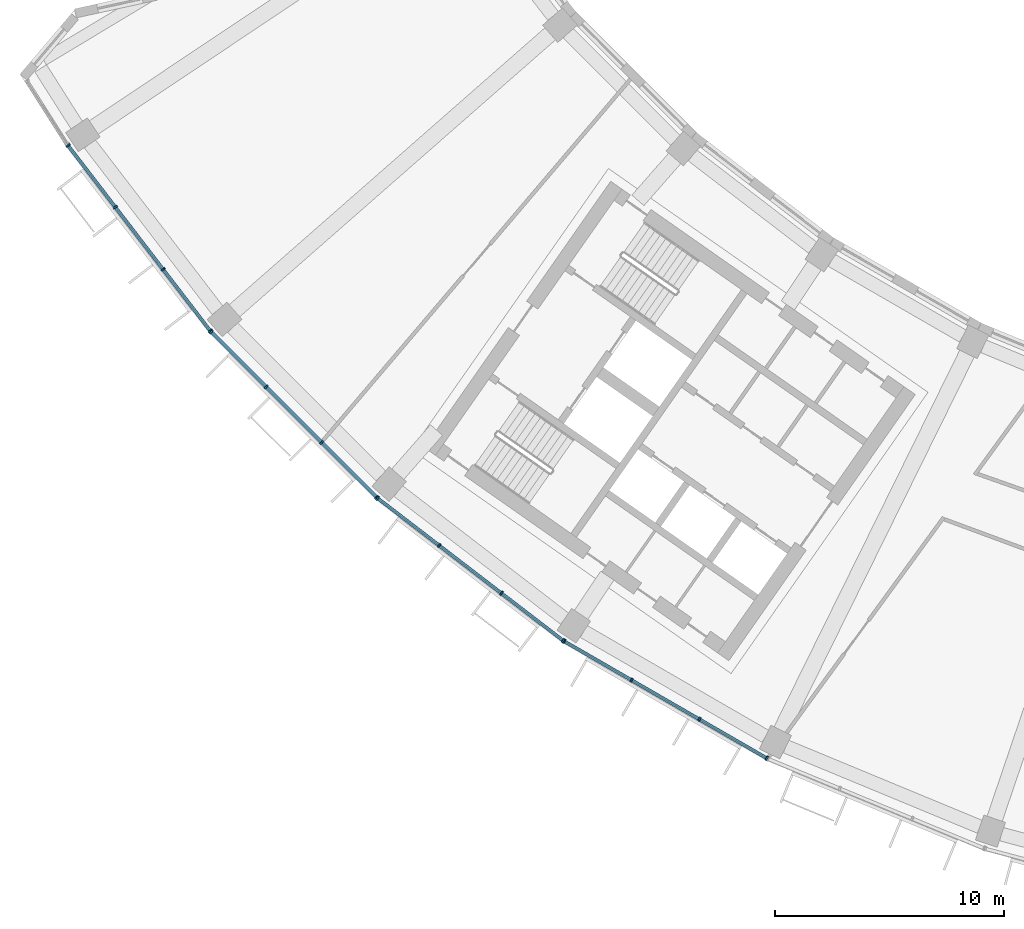
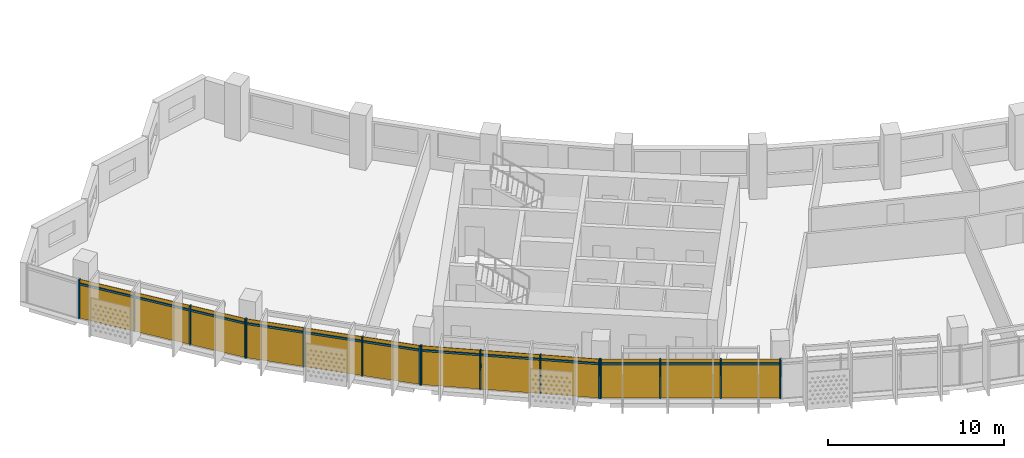
# One storey, part 17 of 28: 28 members, 4 curtain walls.
"""IFC4 building model written with IfcOpenShell, lengths in metres."""

from ifc_helpers import new_model, si_unit, direction, frame, origin, origin_2d, place, context, subcontext, project, spatial, rectangle, extrude, material, material_profile, profile_set, type_object, element, aggregate, save


model = new_model("IFC4")

# Units and contexts
model_context = context("Model", 3, precision=1e-05, world=origin(), true_north=direction((0.0, 1.0)))
body_context = subcontext(model_context, "Body", "Model", "MODEL_VIEW")
ifc_project = project(units=[si_unit("LENGTHUNIT", "METRE"), si_unit("AREAUNIT", "SQUARE_METRE"), si_unit("VOLUMEUNIT", "CUBIC_METRE"), si_unit("PLANEANGLEUNIT", "RADIAN"), si_unit("MASSUNIT", "GRAM", prefix="KILO")], contexts=[model_context])

# Member
ifc_material = material(Name="Aluminium 6063-T6 anodised", Category="aluminium")
ifc_material_profile_1 = material_profile(ifc_material, rectangle(XDim=0.199951171875, YDim=0.070068359375, at=origin_2d()))
ifc_profile_set_1 = profile_set([ifc_material_profile_1], Name="Aluminium 6063-T6 anodised")
member_type_1 = type_object("IfcMemberType", Name="Mullion 70 x 200 aluminium", PredefinedType="MULLION", material=ifc_profile_set_1)
site_placement = place(None, origin())
building_placement = place(site_placement, origin())
storey_placement = place(building_placement, frame((0.0, 0.0, 249.300048828125)))
member_1_placement = place(storey_placement, frame((-65.29443359375, -43.66259765625, 0.0), z_axis=(0.0, 0.0, 1.0), x_axis=(0.793353340291, 0.608761429009, 0.0)))
member_1 = element("IfcMember", 1, at=member_1_placement, type_object=member_type_1, Name="e-cw1-L60-out01/M00", PredefinedType="MULLION", context=body_context, shape_type="SweptSolid", body=[
    extrude(rectangle(XDim=0.199951171875, YDim=0.070068359375, at=origin_2d()), origin(), (0.0, 0.0, 1.0), 2.699951171875),
])

member_2_placement = place(storey_placement, frame((-63.22802734375, -46.35546875, 0.0), z_axis=(0.0, 0.0, 1.0), x_axis=(0.793353340291, 0.608761429009, 0.0)))
member_2 = element("IfcMember", 2, at=member_2_placement, type_object=member_type_1, Name="e-cw1-L60-out01/M01", PredefinedType="MULLION", context=body_context, shape_type="SweptSolid", body=[
    extrude(rectangle(XDim=0.199951171875, YDim=0.070068359375, at=origin_2d()), origin(), (0.0, 0.0, 1.0), 2.699951171875),
])

member_3_placement = place(storey_placement, frame((-61.140380859375, -49.075927734375, 0.0), z_axis=(0.0, 0.0, 1.0), x_axis=(0.793353340291, 0.608761429009, 0.0)))
member_3 = element("IfcMember", 3, at=member_3_placement, type_object=member_type_1, Name="e-cw1-L60-out01/M02", PredefinedType="MULLION", context=body_context, shape_type="SweptSolid", body=[
    extrude(rectangle(XDim=0.199951171875, YDim=0.070068359375, at=origin_2d()), origin(), (0.0, 0.0, 1.0), 2.699951171875),
])

member_4_placement = place(storey_placement, frame((-59.07421875, -51.768798828125, 0.0), z_axis=(0.0, 0.0, 1.0), x_axis=(0.793353340291, 0.608761429009, 0.0)))
member_4 = element("IfcMember", 4, at=member_4_placement, type_object=member_type_1, Name="e-cw1-L60-out01/M03", PredefinedType="MULLION", context=body_context, shape_type="SweptSolid", body=[
    extrude(rectangle(XDim=0.199951171875, YDim=0.070068359375, at=origin_2d()), origin(), (0.0, 0.0, 1.0), 2.699951171875),
])

member_5_placement = place(storey_placement, frame((-59.03662109375, -51.8115234375, 0.0), z_axis=(0.0, 0.0, 1.0), x_axis=(0.707106781187, 0.707106781187, 0.0)))
member_5 = element("IfcMember", 5, at=member_5_placement, type_object=member_type_1, Name="e-cw1-L60-out02/M00", PredefinedType="MULLION", context=body_context, shape_type="SweptSolid", body=[
    extrude(rectangle(XDim=0.199951171875, YDim=0.070068359375, at=origin_2d()), origin(), (0.0, 0.0, 1.0), 2.699951171875),
])

member_6_placement = place(storey_placement, frame((-56.63671875, -54.211669921875, 0.0), z_axis=(0.0, 0.0, 1.0), x_axis=(0.707106781187, 0.707106781187, 0.0)))
member_6 = element("IfcMember", 6, at=member_6_placement, type_object=member_type_1, Name="e-cw1-L60-out02/M01", PredefinedType="MULLION", context=body_context, shape_type="SweptSolid", body=[
    extrude(rectangle(XDim=0.199951171875, YDim=0.070068359375, at=origin_2d()), origin(), (0.0, 0.0, 1.0), 2.699951171875),
])

member_7_placement = place(storey_placement, frame((-54.211669921875, -56.63671875, 0.0), z_axis=(0.0, 0.0, 1.0), x_axis=(0.707106781187, 0.707106781187, 0.0)))
member_7 = element("IfcMember", 7, at=member_7_placement, type_object=member_type_1, Name="e-cw1-L60-out02/M02", PredefinedType="MULLION", context=body_context, shape_type="SweptSolid", body=[
    extrude(rectangle(XDim=0.199951171875, YDim=0.070068359375, at=origin_2d()), origin(), (0.0, 0.0, 1.0), 2.699951171875),
])

member_8_placement = place(storey_placement, frame((-51.8115234375, -59.03662109375, 0.0), z_axis=(0.0, 0.0, 1.0), x_axis=(0.707106781187, 0.707106781187, 0.0)))
member_8 = element("IfcMember", 8, at=member_8_placement, type_object=member_type_1, Name="e-cw1-L60-out02/M03", PredefinedType="MULLION", context=body_context, shape_type="SweptSolid", body=[
    extrude(rectangle(XDim=0.199951171875, YDim=0.070068359375, at=origin_2d()), origin(), (0.0, 0.0, 1.0), 2.699951171875),
])

member_9_placement = place(storey_placement, frame((-51.768798828125, -59.07421875, 0.0), z_axis=(0.0, 0.0, 1.0), x_axis=(0.608761429009, 0.793353340291, 0.0)))
member_9 = element("IfcMember", 9, at=member_9_placement, type_object=member_type_1, Name="e-cw1-L60-out03/M00", PredefinedType="MULLION", context=body_context, shape_type="SweptSolid", body=[
    extrude(rectangle(XDim=0.199951171875, YDim=0.070068359375, at=origin_2d()), origin(), (0.0, 0.0, 1.0), 2.699951171875),
])

member_10_placement = place(storey_placement, frame((-49.075927734375, -61.140380859375, 0.0), z_axis=(0.0, 0.0, 1.0), x_axis=(0.608761429009, 0.793353340291, 0.0)))
member_10 = element("IfcMember", 10, at=member_10_placement, type_object=member_type_1, Name="e-cw1-L60-out03/M01", PredefinedType="MULLION", context=body_context, shape_type="SweptSolid", body=[
    extrude(rectangle(XDim=0.199951171875, YDim=0.070068359375, at=origin_2d()), origin(), (0.0, 0.0, 1.0), 2.699951171875),
])

member_11_placement = place(storey_placement, frame((-46.35546875, -63.22802734375, 0.0), z_axis=(0.0, 0.0, 1.0), x_axis=(0.608761429009, 0.793353340291, 0.0)))
member_11 = element("IfcMember", 11, at=member_11_placement, type_object=member_type_1, Name="e-cw1-L60-out03/M02", PredefinedType="MULLION", context=body_context, shape_type="SweptSolid", body=[
    extrude(rectangle(XDim=0.199951171875, YDim=0.070068359375, at=origin_2d()), origin(), (0.0, 0.0, 1.0), 2.699951171875),
])

member_12_placement = place(storey_placement, frame((-43.66259765625, -65.29443359375, 0.0), z_axis=(0.0, 0.0, 1.0), x_axis=(0.608761429009, 0.793353340291, 0.0)))
member_12 = element("IfcMember", 12, at=member_12_placement, type_object=member_type_1, Name="e-cw1-L60-out03/M03", PredefinedType="MULLION", context=body_context, shape_type="SweptSolid", body=[
    extrude(rectangle(XDim=0.199951171875, YDim=0.070068359375, at=origin_2d()), origin(), (0.0, 0.0, 1.0), 2.699951171875),
])

member_13_placement = place(storey_placement, frame((-43.615234375, -65.325927734375, 0.0), z_axis=(0.0, 0.0, 1.0), x_axis=(0.5, 0.866025403784, 0.0)))
member_13 = element("IfcMember", 13, at=member_13_placement, type_object=member_type_1, Name="e-cw1-L60-out04/M00", PredefinedType="MULLION", context=body_context, shape_type="SweptSolid", body=[
    extrude(rectangle(XDim=0.199951171875, YDim=0.070068359375, at=origin_2d()), origin(), (0.0, 0.0, 1.0), 2.699951171875),
])

member_14_placement = place(storey_placement, frame((-40.67578125, -67.023193359375, 0.0), z_axis=(0.0, 0.0, 1.0), x_axis=(0.5, 0.866025403784, 0.0)))
member_14 = element("IfcMember", 14, at=member_14_placement, type_object=member_type_1, Name="e-cw1-L60-out04/M01", PredefinedType="MULLION", context=body_context, shape_type="SweptSolid", body=[
    extrude(rectangle(XDim=0.199951171875, YDim=0.070068359375, at=origin_2d()), origin(), (0.0, 0.0, 1.0), 2.699951171875),
])

member_15_placement = place(storey_placement, frame((-37.705810546875, -68.73779296875, 0.0), z_axis=(0.0, 0.0, 1.0), x_axis=(0.5, 0.866025403784, 0.0)))
member_15 = element("IfcMember", 15, at=member_15_placement, type_object=member_type_1, Name="e-cw1-L60-out04/M02", PredefinedType="MULLION", context=body_context, shape_type="SweptSolid", body=[
    extrude(rectangle(XDim=0.199951171875, YDim=0.070068359375, at=origin_2d()), origin(), (0.0, 0.0, 1.0), 2.699951171875),
])

member_16_placement = place(storey_placement, frame((-34.766357421875, -70.43505859375, 0.0), z_axis=(0.0, 0.0, 1.0), x_axis=(0.5, 0.866025403784, 0.0)))
member_16 = element("IfcMember", 16, at=member_16_placement, type_object=member_type_1, Name="e-cw1-L60-out04/M03", PredefinedType="MULLION", context=body_context, shape_type="SweptSolid", body=[
    extrude(rectangle(XDim=0.199951171875, YDim=0.070068359375, at=origin_2d()), origin(), (0.0, 0.0, 1.0), 2.699951171875),
])

ifc_material_profile_2 = material_profile(ifc_material, rectangle(XDim=0.139892578125, YDim=0.1201171875, at=origin_2d()))
ifc_profile_set_2 = profile_set([ifc_material_profile_2], Name="Aluminium 6063-T6 anodised")
member_type_2 = type_object("IfcMemberType", Name="Transom 120 x 140 aluminium", PredefinedType="USERDEFINED", material=ifc_profile_set_2)
member_17_placement = place(storey_placement, frame((-65.273193359375, -43.690185546875, 2.39990234375), z_axis=(0.608741393132, -0.793368713958, 0.0), x_axis=(0.793368713958, 0.608741393132, 0.0)))
member_17 = element("IfcMember", 17, at=member_17_placement, type_object=member_type_2, Name="e-cw1-L60-out01/T00", ObjectType="TRANSOM", PredefinedType="USERDEFINED", context=body_context, shape_type="SweptSolid", body=[
    extrude(rectangle(XDim=0.139892578125, YDim=0.1201171875, at=origin_2d()), origin(), (0.0, 0.0, 1.0), 3.324462890625),
])

member_18_placement = place(storey_placement, frame((-63.206787109375, -46.383056640625, 2.39990234375), z_axis=(0.608719861247, -0.793385234627, 0.0), x_axis=(0.793385234627, 0.608719861247, 0.0)))
member_18 = element("IfcMember", 18, at=member_18_placement, type_object=member_type_2, Name="e-cw1-L60-out01/T01", ObjectType="TRANSOM", PredefinedType="USERDEFINED", context=body_context, shape_type="SweptSolid", body=[
    extrude(rectangle(XDim=0.139892578125, YDim=0.1201171875, at=origin_2d()), origin(), (0.0, 0.0, 1.0), 3.359375),
])

member_19_placement = place(storey_placement, frame((-61.119140625, -49.103759765625, 2.39990234375), z_axis=(0.608741393132, -0.793368713958, 0.0), x_axis=(0.793368713958, 0.608741393132, 0.0)))
member_19 = element("IfcMember", 19, at=member_19_placement, type_object=member_type_2, Name="e-cw1-L60-out01/T02", ObjectType="TRANSOM", PredefinedType="USERDEFINED", context=body_context, shape_type="SweptSolid", body=[
    extrude(rectangle(XDim=0.139892578125, YDim=0.1201171875, at=origin_2d()), origin(), (0.0, 0.0, 1.0), 3.324462890625),
])

member_20_placement = place(storey_placement, frame((-59.011962890625, -51.83642578125, 2.39990234375), z_axis=(0.707106781187, -0.707106781187, 0.0), x_axis=(0.707106781187, 0.707106781187, 0.0)))
member_20 = element("IfcMember", 20, at=member_20_placement, type_object=member_type_2, Name="e-cw1-L60-out02/T00", ObjectType="TRANSOM", PredefinedType="USERDEFINED", context=body_context, shape_type="SweptSolid", body=[
    extrude(rectangle(XDim=0.139892578125, YDim=0.1201171875, at=origin_2d()), origin(), (0.0, 0.0, 1.0), 3.32421875),
])

member_21_placement = place(storey_placement, frame((-56.61181640625, -54.236572265625, 2.39990234375), z_axis=(0.707106781187, -0.707106781187, 0.0), x_axis=(0.707106781187, 0.707106781187, 0.0)))
member_21 = element("IfcMember", 21, at=member_21_placement, type_object=member_type_2, Name="e-cw1-L60-out02/T01", ObjectType="TRANSOM", PredefinedType="USERDEFINED", context=body_context, shape_type="SweptSolid", body=[
    extrude(rectangle(XDim=0.139892578125, YDim=0.1201171875, at=origin_2d()), origin(), (0.0, 0.0, 1.0), 3.359130859375),
])

member_22_placement = place(storey_placement, frame((-54.18701171875, -56.661376953125, 2.39990234375), z_axis=(0.707106781187, -0.707106781187, 0.0), x_axis=(0.707106781187, 0.707106781187, 0.0)))
member_22 = element("IfcMember", 22, at=member_22_placement, type_object=member_type_2, Name="e-cw1-L60-out02/T02", ObjectType="TRANSOM", PredefinedType="USERDEFINED", context=body_context, shape_type="SweptSolid", body=[
    extrude(rectangle(XDim=0.139892578125, YDim=0.1201171875, at=origin_2d()), origin(), (0.0, 0.0, 1.0), 3.32421875),
])

member_23_placement = place(storey_placement, frame((-51.7412109375, -59.095458984375, 2.39990234375), z_axis=(0.793368713958, -0.608741393132, 0.0), x_axis=(0.608741393132, 0.793368713958, 0.0)))
member_23 = element("IfcMember", 23, at=member_23_placement, type_object=member_type_2, Name="e-cw1-L60-out03/T00", ObjectType="TRANSOM", PredefinedType="USERDEFINED", context=body_context, shape_type="SweptSolid", body=[
    extrude(rectangle(XDim=0.139892578125, YDim=0.1201171875, at=origin_2d()), origin(), (0.0, 0.0, 1.0), 3.324462890625),
])

member_24_placement = place(storey_placement, frame((-49.04833984375, -61.161865234375, 2.39990234375), z_axis=(0.793385234627, -0.608719861247, 0.0), x_axis=(0.608719861247, 0.793385234627, 0.0)))
member_24 = element("IfcMember", 24, at=member_24_placement, type_object=member_type_2, Name="e-cw1-L60-out03/T01", ObjectType="TRANSOM", PredefinedType="USERDEFINED", context=body_context, shape_type="SweptSolid", body=[
    extrude(rectangle(XDim=0.139892578125, YDim=0.1201171875, at=origin_2d()), origin(), (0.0, 0.0, 1.0), 3.359375),
])

member_25_placement = place(storey_placement, frame((-46.32763671875, -63.24951171875, 2.39990234375), z_axis=(0.793368713958, -0.608741393132, 0.0), x_axis=(0.608741393132, 0.793368713958, 0.0)))
member_25 = element("IfcMember", 25, at=member_25_placement, type_object=member_type_2, Name="e-cw1-L60-out03/T02", ObjectType="TRANSOM", PredefinedType="USERDEFINED", context=body_context, shape_type="SweptSolid", body=[
    extrude(rectangle(XDim=0.139892578125, YDim=0.1201171875, at=origin_2d()), origin(), (0.0, 0.0, 1.0), 3.324462890625),
])

member_26_placement = place(storey_placement, frame((-43.5849609375, -65.343505859375, 2.39990234375), z_axis=(0.866029041019, -0.499993700073, 0.0), x_axis=(0.499993700073, 0.866029041019, 0.0)))
member_26 = element("IfcMember", 26, at=member_26_placement, type_object=member_type_2, Name="e-cw1-L60-out04/T00", ObjectType="TRANSOM", PredefinedType="USERDEFINED", context=body_context, shape_type="SweptSolid", body=[
    extrude(rectangle(XDim=0.139892578125, YDim=0.1201171875, at=origin_2d()), origin(), (0.0, 0.0, 1.0), 3.32421875),
])

member_27_placement = place(storey_placement, frame((-40.6455078125, -67.04052734375, 2.39990234375), z_axis=(0.866034314054, -0.499984566643, 0.0), x_axis=(0.499984566643, 0.866034314054, 0.0)))
member_27 = element("IfcMember", 27, at=member_27_placement, type_object=member_type_2, Name="e-cw1-L60-out04/T01", ObjectType="TRANSOM", PredefinedType="USERDEFINED", context=body_context, shape_type="SweptSolid", body=[
    extrude(rectangle(XDim=0.139892578125, YDim=0.1201171875, at=origin_2d()), origin(), (0.0, 0.0, 1.0), 3.359375),
])

member_28_placement = place(storey_placement, frame((-37.675537109375, -68.75537109375, 2.39990234375), z_axis=(0.866029041019, -0.499993700073, 0.0), x_axis=(0.499993700073, 0.866029041019, 0.0)))
member_28 = element("IfcMember", 28, at=member_28_placement, type_object=member_type_2, Name="e-cw1-L60-out04/T02", ObjectType="TRANSOM", PredefinedType="USERDEFINED", context=body_context, shape_type="SweptSolid", body=[
    extrude(rectangle(XDim=0.139892578125, YDim=0.1201171875, at=origin_2d()), origin(), (0.0, 0.0, 1.0), 3.32421875),
])

# Site, building, storey
site = spatial("IfcSite", under=ifc_project, at=site_placement, CompositionType="ELEMENT")
building = spatial("IfcBuilding", under=site, at=building_placement, Name="Qamariyya Broadcast Tower", CompositionType="ELEMENT")
storey = spatial("IfcBuildingStorey", under=building, at=storey_placement, Name="L60", CompositionType="ELEMENT", Elevation=249.300048828125)

# Curtain wall
curtain_wall_type = type_object("IfcCurtainWallType", Name="Unitised curtain wall, anodised aluminium", PredefinedType="NOTDEFINED", material=ifc_material)
curtain_wall_1_placement = place(storey_placement, origin())
curtain_wall_1 = element("IfcCurtainWall", 29, at=curtain_wall_1_placement, inside=storey, type_object=curtain_wall_type, Name="e-cw1-L60-out01", PredefinedType="NOTDEFINED", context=body_context, shape_type="SweptSolid", body=[
    extrude(rectangle(XDim=3.32421875, YDim=0.031982421875, at=origin_2d()), frame((-64.26123046875, -45.009033203125, 0.0), x_axis=(0.608753833159, -0.793359168734, 0.0)), (0.0, 0.0, 1.0), 2.340087890625),
    extrude(rectangle(XDim=3.32421875, YDim=0.031982421875, at=origin_2d()), frame((-64.26123046875, -45.009033203125, 2.4599609375), x_axis=(0.608753833159, -0.793359168734, 0.0)), (0.0, 0.0, 1.0), 0.239990234375),
    extrude(rectangle(XDim=3.359130859375, YDim=0.031982421875, at=origin_2d()), frame((-62.184326171875, -47.7158203125, 0.0), x_axis=(0.608753833159, -0.793359168734, 0.0)), (0.0, 0.0, 1.0), 2.340087890625),
    extrude(rectangle(XDim=3.359130859375, YDim=0.031982421875, at=origin_2d()), frame((-62.184326171875, -47.7158203125, 2.4599609375), x_axis=(0.608753833159, -0.793359168734, 0.0)), (0.0, 0.0, 1.0), 0.239990234375),
    extrude(rectangle(XDim=3.32421875, YDim=0.031982421875, at=origin_2d()), frame((-60.107421875, -50.42236328125, 0.0), x_axis=(0.608753833159, -0.793359168734, 0.0)), (0.0, 0.0, 1.0), 2.340087890625),
    extrude(rectangle(XDim=3.32421875, YDim=0.031982421875, at=origin_2d()), frame((-60.107421875, -50.42236328125, 2.4599609375), x_axis=(0.608753833159, -0.793359168734, 0.0)), (0.0, 0.0, 1.0), 0.239990234375),
])

aggregate(curtain_wall_1, [member_1, member_2, member_3, member_4, member_17, member_18, member_19])

curtain_wall_2_placement = place(storey_placement, origin())
curtain_wall_2 = element("IfcCurtainWall", 30, at=curtain_wall_2_placement, inside=storey, type_object=curtain_wall_type, Name="e-cw1-L60-out02", PredefinedType="NOTDEFINED", context=body_context, shape_type="SweptSolid", body=[
    extrude(rectangle(XDim=3.32421875, YDim=0.031982421875, at=origin_2d()), frame((-57.836669921875, -53.01171875, 0.0), x_axis=(0.707106781187, -0.707106781187, 0.0)), (0.0, 0.0, 1.0), 2.340087890625),
    extrude(rectangle(XDim=3.32421875, YDim=0.031982421875, at=origin_2d()), frame((-57.836669921875, -53.01171875, 2.4599609375), x_axis=(0.707106781187, -0.707106781187, 0.0)), (0.0, 0.0, 1.0), 0.239990234375),
    extrude(rectangle(XDim=3.359375, YDim=0.031982421875, at=origin_2d()), frame((-55.42431640625, -55.42431640625, 0.0), x_axis=(0.707106781187, -0.707106781187, 0.0)), (0.0, 0.0, 1.0), 2.340087890625),
    extrude(rectangle(XDim=3.359375, YDim=0.031982421875, at=origin_2d()), frame((-55.42431640625, -55.42431640625, 2.4599609375), x_axis=(0.707106781187, -0.707106781187, 0.0)), (0.0, 0.0, 1.0), 0.239990234375),
    extrude(rectangle(XDim=3.32421875, YDim=0.031982421875, at=origin_2d()), frame((-53.01171875, -57.836669921875, 0.0), x_axis=(0.707106781187, -0.707106781187, 0.0)), (0.0, 0.0, 1.0), 2.340087890625),
    extrude(rectangle(XDim=3.32421875, YDim=0.031982421875, at=origin_2d()), frame((-53.01171875, -57.836669921875, 2.4599609375), x_axis=(0.707106781187, -0.707106781187, 0.0)), (0.0, 0.0, 1.0), 0.239990234375),
])

aggregate(curtain_wall_2, [member_5, member_6, member_7, member_8, member_20, member_21, member_22])

curtain_wall_3_placement = place(storey_placement, origin())
curtain_wall_3 = element("IfcCurtainWall", 31, at=curtain_wall_3_placement, inside=storey, type_object=curtain_wall_type, Name="e-cw1-L60-out03", PredefinedType="NOTDEFINED", context=body_context, shape_type="SweptSolid", body=[
    extrude(rectangle(XDim=3.32421875, YDim=0.031982421875, at=origin_2d()), frame((-50.42236328125, -60.107421875, 0.0), x_axis=(0.793359168734, -0.608753833159, 0.0)), (0.0, 0.0, 1.0), 2.340087890625),
    extrude(rectangle(XDim=3.32421875, YDim=0.031982421875, at=origin_2d()), frame((-50.42236328125, -60.107421875, 2.4599609375), x_axis=(0.793359168734, -0.608753833159, 0.0)), (0.0, 0.0, 1.0), 0.239990234375),
    extrude(rectangle(XDim=3.359130859375, YDim=0.031982421875, at=origin_2d()), frame((-47.7158203125, -62.184326171875, 0.0), x_axis=(0.793359168734, -0.608753833159, 0.0)), (0.0, 0.0, 1.0), 2.340087890625),
    extrude(rectangle(XDim=3.359130859375, YDim=0.031982421875, at=origin_2d()), frame((-47.7158203125, -62.184326171875, 2.4599609375), x_axis=(0.793359168734, -0.608753833159, 0.0)), (0.0, 0.0, 1.0), 0.239990234375),
    extrude(rectangle(XDim=3.32421875, YDim=0.031982421875, at=origin_2d()), frame((-45.009033203125, -64.26123046875, 0.0), x_axis=(0.793359168734, -0.608753833159, 0.0)), (0.0, 0.0, 1.0), 2.340087890625),
    extrude(rectangle(XDim=3.32421875, YDim=0.031982421875, at=origin_2d()), frame((-45.009033203125, -64.26123046875, 2.4599609375), x_axis=(0.793359168734, -0.608753833159, 0.0)), (0.0, 0.0, 1.0), 0.239990234375),
])

aggregate(curtain_wall_3, [member_9, member_10, member_11, member_12, member_23, member_24, member_25])

curtain_wall_4_placement = place(storey_placement, origin())
curtain_wall_4 = element("IfcCurtainWall", 32, at=curtain_wall_4_placement, inside=storey, type_object=curtain_wall_type, Name="e-cw1-L60-out04", PredefinedType="NOTDEFINED", context=body_context, shape_type="SweptSolid", body=[
    extrude(rectangle(XDim=3.32421875, YDim=0.031982421875, at=origin_2d()), frame((-42.1455078125, -66.174560546875, 0.0), x_axis=(0.866027904674, -0.499995668308, 0.0)), (0.0, 0.0, 1.0), 2.340087890625),
    extrude(rectangle(XDim=3.32421875, YDim=0.031982421875, at=origin_2d()), frame((-42.1455078125, -66.174560546875, 2.4599609375), x_axis=(0.866027904674, -0.499995668308, 0.0)), (0.0, 0.0, 1.0), 0.239990234375),
    extrude(rectangle(XDim=3.359130859375, YDim=0.031982421875, at=origin_2d()), frame((-39.19091796875, -67.88037109375, 0.0), x_axis=(0.866027904674, -0.499995668308, 0.0)), (0.0, 0.0, 1.0), 2.340087890625),
    extrude(rectangle(XDim=3.359130859375, YDim=0.031982421875, at=origin_2d()), frame((-39.19091796875, -67.88037109375, 2.4599609375), x_axis=(0.866027904674, -0.499995668308, 0.0)), (0.0, 0.0, 1.0), 0.239990234375),
    extrude(rectangle(XDim=3.32421875, YDim=0.031982421875, at=origin_2d()), frame((-36.236083984375, -69.58642578125, 0.0), x_axis=(0.866027904674, -0.499995668308, 0.0)), (0.0, 0.0, 1.0), 2.340087890625),
    extrude(rectangle(XDim=3.32421875, YDim=0.031982421875, at=origin_2d()), frame((-36.236083984375, -69.58642578125, 2.4599609375), x_axis=(0.866027904674, -0.499995668308, 0.0)), (0.0, 0.0, 1.0), 0.239990234375),
])

aggregate(curtain_wall_4, [member_13, member_14, member_15, member_16, member_26, member_27, member_28])

save(model, "model.ifc")
